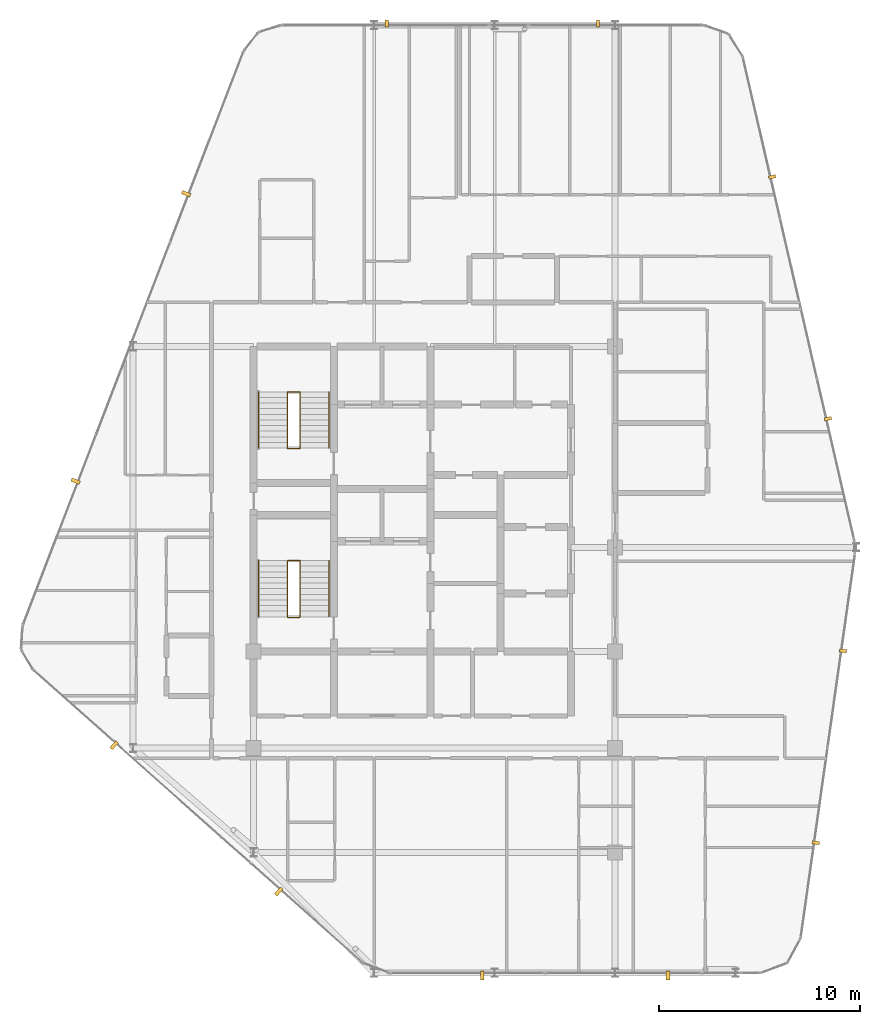
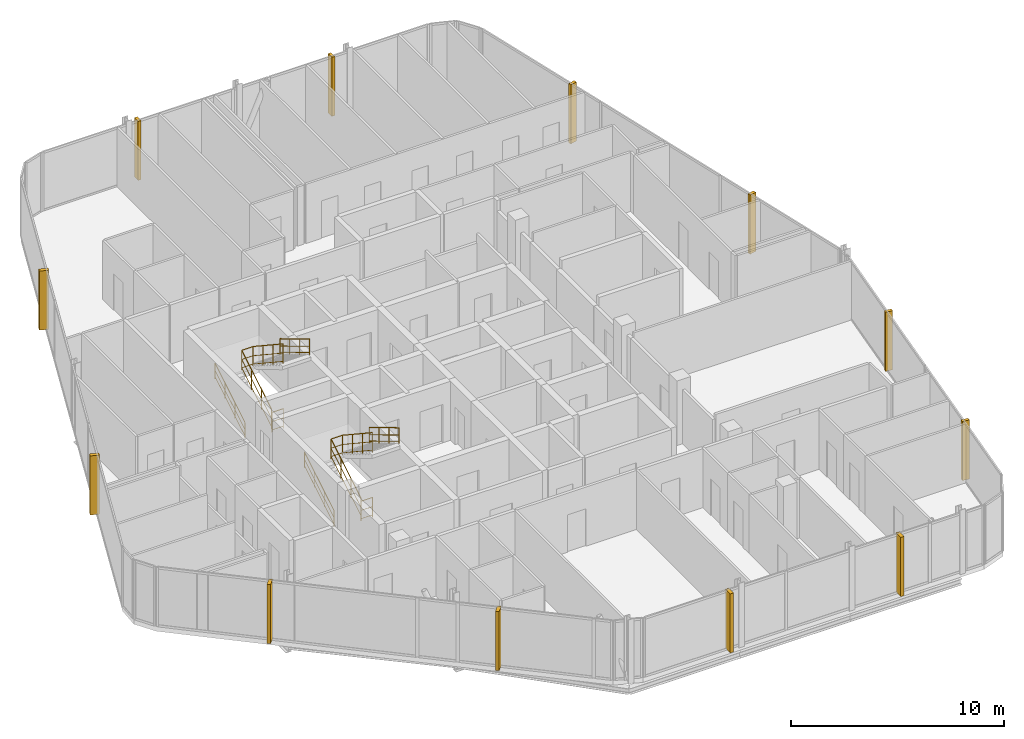
# One storey, part 30 of 30: 12 coverings, 8 railings.
"""IFC4 building model written with IfcOpenShell, lengths in metres."""

import ifcopenshell
import ifcopenshell.guid

model = None  # the IFC model being written
_history = None  # IfcOwnerHistory: only IFC2X3 demands one
_inside = {}  # id of a spatial element -> (the spatial element, [elements in it])
_under = {}  # id of a project, library or spatial element -> (it, [spatial elements below it])
_declared = {}  # id of a project -> (the project, [libraries it declares])
_typed = {}  # id of a type object -> (the type object, [elements of that type])
_made_of = {}  # id of a material, layer set ... -> (it, [elements and type objects made of it])


def new_model(schema):
    """Start an empty IFC model of exactly this schema.

    Asked for "IFC4X3", IfcOpenShell would pick the latest addendum, in which some entities
    have other attributes; the version numbers below select the first issue.
    IFC2X3 requires an IfcOwnerHistory on every rooted entity: one is made here for all.
    """
    global model, _history
    if schema == "IFC4X3":
        model = ifcopenshell.file(schema_version=(4, 3, 0, 0))
    else:
        model = ifcopenshell.file(schema=schema)
    _inside.clear()
    _under.clear()
    _declared.clear()
    _typed.clear()
    _made_of.clear()
    _history = None
    if model.schema == "IFC2X3":
        org = make("IfcOrganization", Name="unknown")
        user = make(
            "IfcPersonAndOrganization",
            ThePerson=make("IfcPerson", FamilyName="unknown"),
            TheOrganization=org,
        )
        app = make(
            "IfcApplication",
            ApplicationDeveloper=org,
            Version="unknown",
            ApplicationFullName="unknown",
            ApplicationIdentifier="unknown",
        )
        _history = make(
            "IfcOwnerHistory",
            OwningUser=user,
            OwningApplication=app,
            ChangeAction="ADDED",
            CreationDate=0,
        )
    return model


def make(cls, **values):
    """One entity of the class cls with the attributes given. An attribute that is None is left unset."""
    return model.create_entity(
        cls, **{name: value for name, value in values.items() if value is not None}
    )


def rooted(cls, **values):
    """An entity with a GlobalId (a new one), such as an element, a storey or a relation."""
    return make(cls, GlobalId=ifcopenshell.guid.new(), OwnerHistory=_history, **values)


def si_unit(unit_type, name, prefix=None):
    """IfcSIUnit, for example si_unit("LENGTHUNIT", "METRE", prefix="MILLI")."""
    return make("IfcSIUnit", UnitType=unit_type, Prefix=prefix, Name=name)


def assignment(units):
    """IfcUnitAssignment: the units of a project."""
    return None if units is None else make("IfcUnitAssignment", Units=units)


def point(xyz):
    """IfcCartesianPoint."""
    return None if xyz is None else make("IfcCartesianPoint", Coordinates=xyz)


def direction(xyz):
    """IfcDirection."""
    return None if xyz is None else make("IfcDirection", DirectionRatios=xyz)


def frame(location, z_axis=None, x_axis=None):
    """IfcAxis2Placement3D, a coordinate frame: its origin and axes. An axis left out is left unset."""
    return make(
        "IfcAxis2Placement3D",
        Location=point(location),
        Axis=direction(z_axis),
        RefDirection=direction(x_axis),
    )


def frame_2d(location, x_axis=None):
    """IfcAxis2Placement2D, a coordinate frame in the plane: its origin and x axis."""
    return make(
        "IfcAxis2Placement2D", Location=point(location), RefDirection=direction(x_axis)
    )


def origin():
    """The frame at (0, 0, 0) with its axes left unset."""
    return frame((0.0, 0.0, 0.0))


def origin_2d():
    """The frame at (0, 0) in the plane with its x axis left unset."""
    return frame_2d((0.0, 0.0))


def place(relative_to, where):
    """IfcLocalPlacement: puts the frame where relative to a parent placement (None: the world)."""
    return make(
        "IfcLocalPlacement", PlacementRelTo=relative_to, RelativePlacement=where
    )


def context(
    kind, dimensions, precision=None, world=None, true_north=None, identifier=None
):
    """IfcGeometricRepresentationContext, for example the 3D "Model" context."""
    return make(
        "IfcGeometricRepresentationContext",
        ContextIdentifier=identifier,
        ContextType=kind,
        CoordinateSpaceDimension=dimensions,
        Precision=precision,
        WorldCoordinateSystem=world,
        TrueNorth=true_north,
    )


def subcontext(parent, identifier, kind, view, scale=None):
    """IfcGeometricRepresentationSubContext, for example "Body" below "Model"."""
    return make(
        "IfcGeometricRepresentationSubContext",
        ContextIdentifier=identifier,
        ContextType=kind,
        ParentContext=parent,
        TargetScale=scale,
        TargetView=view,
    )


def project(units=None, contexts=None):
    """IfcProject with its units and contexts."""
    return rooted(
        "IfcProject",
        Name="project",
        RepresentationContexts=contexts,
        UnitsInContext=assignment(units),
    )


def spatial(cls, under=None, at=None, **own):
    """A site, building, storey or space (cls), placed at a placement, below another one or the project."""
    s = rooted(cls, ObjectPlacement=at, **own)
    if under is not None:
        _under.setdefault(under.id(), (under, []))[1].append(s)
    return s


def profile(cls, at=None, kind="AREA", **sizes):
    """A parametric profile (cls). Its sizes go by their IFC names, for example OverallWidth=200.0."""
    return make(cls, ProfileType=kind, Position=at, **sizes)


def rectangle(**sizes):
    """IfcRectangleProfileDef."""
    return profile("IfcRectangleProfileDef", **sizes)


def circle(**sizes):
    """IfcCircleProfileDef."""
    return profile("IfcCircleProfileDef", **sizes)


def extrude(swept, where, along, depth):
    """IfcExtrudedAreaSolid: the profile swept, set in the frame where, extruded along a direction by depth."""
    return make(
        "IfcExtrudedAreaSolid",
        SweptArea=swept,
        Position=where,
        ExtrudedDirection=direction(along),
        Depth=depth,
    )


def shape(context_of_items, identifier, shape_type, items):
    """IfcShapeRepresentation: the items that make up one representation, for example the "Body"."""
    return make(
        "IfcShapeRepresentation",
        ContextOfItems=context_of_items,
        RepresentationIdentifier=identifier,
        RepresentationType=shape_type,
        Items=items,
    )


def material(Name=None, Category=None):
    """IfcMaterial."""
    return make("IfcMaterial", Name=Name, Category=Category)


def layer(
    of_material, thickness, ventilated=None, Name=None, Category=None, Priority=None
):
    """IfcMaterialLayer: one layer of a wall or slab, of a material (None: an air gap)."""
    return make(
        "IfcMaterialLayer",
        Material=of_material,
        LayerThickness=thickness,
        IsVentilated=ventilated,
        Name=Name,
        Category=Category,
        Priority=Priority,
    )


def layer_set(layers, Name=None):
    """IfcMaterialLayerSet."""
    return make("IfcMaterialLayerSet", MaterialLayers=layers, LayerSetName=Name)


def made_of(thing, what):
    """Note that an element or type object is made of a material, layer set ...; save() writes the relation."""
    if what is not None:
        _made_of.setdefault(what.id(), (what, []))[1].append(thing)
    return thing


def type_object(cls, material=None, **own):
    """A type object (cls), such as IfcWallType, which elements share."""
    return made_of(rooted(cls, **own), material)


def element(
    cls,
    number,
    at=None,
    inside=None,
    cuts=None,
    type_object=None,
    material=None,
    context=None,
    identifier="Body",
    shape_type=None,
    held_by="IfcProductDefinitionShape",
    body=None,
    shapes=None,
    **own,
):
    """One element of the class cls, such as IfcWall. Its Tag is "e" and its number.

    at: its placement. inside: the storey or other place that contains it. cuts: it is an
    opening in that element (IfcRelVoidsElement). A single representation is given by context,
    identifier, shape_type and body (its items); several are given by shapes. held_by: the class
    of the entity that holds the representations. save() writes the other relations.
    """
    e = rooted(cls, Tag="e%d" % number, ObjectPlacement=at, **own)
    if body is not None:
        shapes = [shape(context, identifier, shape_type, body)]
    if shapes is not None:
        e.Representation = make(held_by, Representations=shapes)
    if inside is not None:
        _inside.setdefault(inside.id(), (inside, []))[1].append(e)
    if cuts is not None:
        rooted(
            "IfcRelVoidsElement", RelatingBuildingElement=cuts, RelatedOpeningElement=e
        )
    if type_object is not None:
        _typed.setdefault(type_object.id(), (type_object, []))[1].append(e)
    return made_of(e, material)


def aggregate(whole, parts):
    """IfcRelAggregates: a whole, such as a stair, and the parts it consists of."""
    return rooted("IfcRelAggregates", RelatingObject=whole, RelatedObjects=parts)


def save(model, path):
    """Write the relations noted so far, then the file.

    IfcRelAggregates (storeys below a building ...), IfcRelContainedInSpatialStructure (elements
    in a storey), IfcRelDefinesByType, IfcRelAssociatesMaterial and IfcRelDeclares: one each for
    every whole, place, type object, material and project.
    """
    for whole, parts in _under.values():
        aggregate(whole, parts)
    for where, things in _inside.values():
        rooted(
            "IfcRelContainedInSpatialStructure",
            RelatedElements=things,
            RelatingStructure=where,
        )
    for kind, things in _typed.values():
        rooted("IfcRelDefinesByType", RelatedObjects=things, RelatingType=kind)
    for what, things in _made_of.values():
        rooted("IfcRelAssociatesMaterial", RelatedObjects=things, RelatingMaterial=what)
    for by, libraries in _declared.values():
        rooted("IfcRelDeclares", RelatingContext=by, RelatedDefinitions=libraries)
    model.write(path)


model = new_model("IFC4")

# Units and contexts
model_context = context("Model", 3, precision=1e-05, world=origin(), true_north=direction((0.0, 1.0)))
body_context = subcontext(model_context, "Body", "Model", "MODEL_VIEW")
ifc_project = project(units=[si_unit("LENGTHUNIT", "METRE"), si_unit("AREAUNIT", "SQUARE_METRE"), si_unit("VOLUMEUNIT", "CUBIC_METRE"), si_unit("PLANEANGLEUNIT", "RADIAN"), si_unit("MASSUNIT", "GRAM", prefix="KILO")], contexts=[model_context])

# Site, building, storey
site_placement = place(None, origin())
site = spatial("IfcSite", under=ifc_project, at=site_placement, CompositionType="ELEMENT")
building_placement = place(site_placement, origin())
building = spatial("IfcBuilding", under=site, at=building_placement, Name="Keshet Zoharim Tower", CompositionType="ELEMENT")
storey_placement = place(building_placement, frame((0.0, 0.0, 280.60009765625)))
storey = spatial("IfcBuildingStorey", under=building, at=storey_placement, Name="L70", CompositionType="ELEMENT", Elevation=280.60009765625)

# Coverings
ifc_material_1 = material(Name="Concrete C50/60 precast", Category="concrete")
covering_type_1 = type_object("IfcCoveringType", Name="FIN-SOL-360", PredefinedType="CLADDING", material=ifc_material_1)
for number, where, z_axis, x_axis, name in (
    (1, (21.633056640625, 53.97998046875, 0.0), (0.0, 0.0, 1.0), (1.0, 0.0, 0.0), "L70 Vertical Precast Solar Fin 03"),
    (2, (32.14990234375, 53.97998046875, 0.0), (0.0, 0.0, 1.0), (1.0, 0.0, 0.0), "L70 Vertical Precast Solar Fin 04"),
    (3, (40.824951171875, 46.345947265625, 0.0), (0.0, 0.0, 1.0), (0.224829963294, -0.974398012932, 0.0), "L70 Vertical Precast Solar Fin 05"),
    (4, (43.60400390625, 34.302001953125, 0.0), (0.0, 0.0, 1.0), (0.224829963294, -0.974398012932, 0.0), "L70 Vertical Precast Solar Fin 06"),
    (5, (44.35107421875, 22.742919921875, 0.0), (0.0, 0.0, 1.0), (-0.140137464177, -0.990132057422, 0.0), "L70 Vertical Precast Solar Fin 07"),
    (6, (42.998046875, 13.18701171875, 0.0), (0.0, 0.0, 1.0), (-0.140137464177, -0.990132057422, 0.0), "L70 Vertical Precast Solar Fin 08"),
):
    element("IfcCovering", number, at=place(storey_placement, frame(where, z_axis=z_axis, x_axis=x_axis)), inside=storey, type_object=covering_type_1, Name=name, PredefinedType="CLADDING", context=body_context, shape_type="SweptSolid", body=[
        extrude(rectangle(XDim=0.159912109375, YDim=0.360107421875, at=origin_2d()), origin(), (0.0, 0.0, 1.0), 3.389892578125),
    ])
covering_type_2 = type_object("IfcCoveringType", Name="FIN-SOL-450", PredefinedType="CLADDING", material=ifc_material_1)
for number, where, z_axis, x_axis, name in (
    (7, (6.133056640625, 31.194091796875, 0.0), (0.0, 0.0, 1.0), (0.358990003907, 0.933341404361, 0.0), "L70 Vertical Precast Solar Fin 01"),
    (8, (11.637939453125, 45.507080078125, 0.0), (0.0, 0.0, 1.0), (0.358990003907, 0.933341404361, 0.0), "L70 Vertical Precast Solar Fin 02"),
    (9, (35.636962890625, 6.574951171875, 0.0), (0.0, 0.0, 1.0), (-1.0, 0.0, 0.0), "L70 Vertical Precast Solar Fin 09"),
    (10, (26.385986328125, 6.574951171875, 0.0), (0.0, 0.0, 1.0), (-1.0, 0.0, 0.0), "L70 Vertical Precast Solar Fin 10"),
    (11, (16.25, 10.7548828125, 0.0), (0.0, 0.0, 1.0), (-0.747411833563, 0.66436100958, 0.0), "L70 Vertical Precast Solar Fin 11"),
    (12, (8.051025390625, 18.04296875, 0.0), (0.0, 0.0, 1.0), (-0.747411833563, 0.66436100958, 0.0), "L70 Vertical Precast Solar Fin 12"),
):
    element("IfcCovering", number, at=place(storey_placement, frame(where, z_axis=z_axis, x_axis=x_axis)), inside=storey, type_object=covering_type_2, Name=name, PredefinedType="CLADDING", context=body_context, shape_type="SweptSolid", body=[
        extrude(rectangle(XDim=0.179931640625, YDim=0.449951171875, at=origin_2d()), origin(), (0.0, 0.0, 1.0), 3.389892578125),
    ])

# Railings
ifc_material_2 = material(Name="Steel S355", Category="steel")
ifc_layer_1 = layer(ifc_material_2, 0.050048828125)
ifc_layer_set_1 = layer_set([ifc_layer_1], Name="Steel S355")
railing_type_1 = type_object("IfcRailingType", Name="RL-HND-092", PredefinedType="HANDRAIL", material=ifc_layer_set_1)
railing_1_placement = place(storey_placement, frame((15.239990234375, 24.43994140625, 0.168212890625)))
element("IfcRailing", 13, at=railing_1_placement, inside=storey, type_object=railing_type_1, Name="L70 ST-01 Flight 1 Wall Handrail", PredefinedType="HANDRAIL", context=body_context, shape_type="SweptSolid", body=[
    extrude(circle(Radius=0.02392578125, at=origin_2d()), frame((0.0, 0.0, 0.89599609375), z_axis=(0.0, 0.857275202839, 0.514858452973), x_axis=(-1.0, 0.0, 0.0)), (0.0, 0.0, 1.0), 3.26611328125),
    extrude(circle(Radius=0.01611328125, at=origin_2d()), frame((0.0, 0.0, 0.478271484375), z_axis=(0.0, 0.857275202839, 0.514858452973), x_axis=(-1.0, 0.0, 0.0)), (0.0, 0.0, 1.0), 3.26611328125),
    extrude(circle(Radius=0.01611328125, at=origin_2d()), frame((0.0, 0.0, 0.1201171875), z_axis=(0.0, 0.857275202839, 0.514858452973), x_axis=(-1.0, 0.0, 0.0)), (0.0, 0.0, 1.0), 3.26611328125),
    extrude(circle(Radius=0.02099609375, at=origin_2d()), origin(), (0.0, 0.0, 1.0), 0.871826171875),
    extrude(circle(Radius=0.02099609375, at=origin_2d()), frame((0.0, 0.933349609375, 0.560546875)), (0.0, 0.0, 1.0), 0.871826171875),
    extrude(circle(Radius=0.02099609375, at=origin_2d()), frame((0.0, 1.86669921875, 1.12109375)), (0.0, 0.0, 1.0), 0.871826171875),
    extrude(circle(Radius=0.02099609375, at=origin_2d()), frame((0.0, 2.800048828125, 1.681640625)), (0.0, 0.0, 1.0), 0.871826171875),
])
railing_2_placement = place(storey_placement, frame((18.760009765625, 27.239990234375, 2.01806640625)))
element("IfcRailing", 14, at=railing_2_placement, inside=storey, type_object=railing_type_1, Name="L70 ST-01 Flight 2 Wall Handrail", PredefinedType="HANDRAIL", context=body_context, shape_type="SweptSolid", body=[
    extrude(circle(Radius=0.02392578125, at=origin_2d()), frame((0.0, 0.0, 0.89599609375), z_axis=(0.0, -0.857242210791, 0.514913383045), x_axis=(1.0, 0.0, 0.0)), (0.0, 0.0, 1.0), 3.266357421875),
    extrude(circle(Radius=0.01611328125, at=origin_2d()), frame((0.0, 0.0, 0.478271484375), z_axis=(0.0, -0.857242210791, 0.514913383045), x_axis=(1.0, 0.0, 0.0)), (0.0, 0.0, 1.0), 3.266357421875),
    extrude(circle(Radius=0.01611328125, at=origin_2d()), frame((0.0, 0.0, 0.1201171875), z_axis=(0.0, -0.857242210791, 0.514913383045), x_axis=(1.0, 0.0, 0.0)), (0.0, 0.0, 1.0), 3.266357421875),
    extrude(circle(Radius=0.02099609375, at=origin_2d()), origin(), (0.0, 0.0, 1.0), 0.871826171875),
    extrude(circle(Radius=0.02099609375, at=origin_2d()), frame((0.0, -0.933349609375, 0.560546875)), (0.0, 0.0, 1.0), 0.871826171875),
    extrude(circle(Radius=0.02099609375, at=origin_2d()), frame((0.0, -1.86669921875, 1.121337890625)), (0.0, 0.0, 1.0), 0.871826171875),
    extrude(circle(Radius=0.02099609375, at=origin_2d()), frame((0.0, -2.800048828125, 1.681884765625)), (0.0, 0.0, 1.0), 0.871826171875),
])
railing_3_placement = place(storey_placement, frame((15.239990234375, 32.840087890625, 0.168212890625)))
element("IfcRailing", 15, at=railing_3_placement, inside=storey, type_object=railing_type_1, Name="L70 ST-02 Flight 1 Wall Handrail", PredefinedType="HANDRAIL", context=body_context, shape_type="SweptSolid", body=[
    extrude(circle(Radius=0.02392578125, at=origin_2d()), frame((0.0, 0.0, 0.89599609375), z_axis=(0.0, 0.857255387014, 0.514891446264), x_axis=(-1.0, 0.0, 0.0)), (0.0, 0.0, 1.0), 3.26611328125),
    extrude(circle(Radius=0.01611328125, at=origin_2d()), frame((0.0, 0.0, 0.478271484375), z_axis=(0.0, 0.857255387014, 0.514891446264), x_axis=(-1.0, 0.0, 0.0)), (0.0, 0.0, 1.0), 3.26611328125),
    extrude(circle(Radius=0.01611328125, at=origin_2d()), frame((0.0, 0.0, 0.1201171875), z_axis=(0.0, 0.857255387014, 0.514891446264), x_axis=(-1.0, 0.0, 0.0)), (0.0, 0.0, 1.0), 3.26611328125),
    extrude(circle(Radius=0.02099609375, at=origin_2d()), origin(), (0.0, 0.0, 1.0), 0.871826171875),
    extrude(circle(Radius=0.02099609375, at=origin_2d()), frame((0.0, 0.933349609375, 0.560546875)), (0.0, 0.0, 1.0), 0.871826171875),
    extrude(circle(Radius=0.02099609375, at=origin_2d()), frame((0.0, 1.866455078125, 1.12109375)), (0.0, 0.0, 1.0), 0.871826171875),
    extrude(circle(Radius=0.02099609375, at=origin_2d()), frame((0.0, 2.7998046875, 1.681640625)), (0.0, 0.0, 1.0), 0.871826171875),
])
railing_4_placement = place(storey_placement, frame((18.760009765625, 35.639892578125, 2.01806640625)))
element("IfcRailing", 16, at=railing_4_placement, inside=storey, type_object=railing_type_1, Name="L70 ST-02 Flight 2 Wall Handrail", PredefinedType="HANDRAIL", context=body_context, shape_type="SweptSolid", body=[
    extrude(circle(Radius=0.02392578125, at=origin_2d()), frame((0.0, 0.0, 0.89599609375), z_axis=(0.0, -0.857222391501, 0.514946377315), x_axis=(1.0, 0.0, 0.0)), (0.0, 0.0, 1.0), 3.26611328125),
    extrude(circle(Radius=0.01611328125, at=origin_2d()), frame((0.0, 0.0, 0.478271484375), z_axis=(0.0, -0.857222391501, 0.514946377315), x_axis=(1.0, 0.0, 0.0)), (0.0, 0.0, 1.0), 3.26611328125),
    extrude(circle(Radius=0.01611328125, at=origin_2d()), frame((0.0, 0.0, 0.1201171875), z_axis=(0.0, -0.857222391501, 0.514946377315), x_axis=(1.0, 0.0, 0.0)), (0.0, 0.0, 1.0), 3.26611328125),
    extrude(circle(Radius=0.02099609375, at=origin_2d()), origin(), (0.0, 0.0, 1.0), 0.871826171875),
    extrude(circle(Radius=0.02099609375, at=origin_2d()), frame((0.0, -0.933349609375, 0.560546875)), (0.0, 0.0, 1.0), 0.871826171875),
    extrude(circle(Radius=0.02099609375, at=origin_2d()), frame((0.0, -1.866455078125, 1.121337890625)), (0.0, 0.0, 1.0), 0.871826171875),
    extrude(circle(Radius=0.02099609375, at=origin_2d()), frame((0.0, -2.7998046875, 1.681884765625)), (0.0, 0.0, 1.0), 0.871826171875),
])
ifc_layer_2 = layer(ifc_material_2, 0.06005859375)
ifc_layer_set_2 = layer_set([ifc_layer_2], Name="Steel S355")
railing_type_2 = type_object("IfcRailingType", Name="RL-STG-115", PredefinedType="GUARDRAIL", material=ifc_layer_set_2)
railing_5_placement = place(storey_placement, frame((16.68994140625, 24.43994140625, 0.168212890625)))
element("IfcRailing", 17, at=railing_5_placement, inside=storey, type_object=railing_type_2, Name="L70 ST-01 Inner Well Guardrail", PredefinedType="GUARDRAIL", context=body_context, shape_type="SweptSolid", body=[
    extrude(circle(Radius=0.02392578125, at=origin_2d()), frame((0.0, 0.0, 1.1259765625), z_axis=(0.0, 0.857275202839, 0.514858452973), x_axis=(-1.0, 0.0, 0.0)), (0.0, 0.0, 1.0), 3.26611328125),
    extrude(circle(Radius=0.01611328125, at=origin_2d()), frame((0.0, 0.0, 0.597900390625), z_axis=(0.0, 0.857275202839, 0.514858452973), x_axis=(-1.0, 0.0, 0.0)), (0.0, 0.0, 1.0), 3.26611328125),
    extrude(circle(Radius=0.01611328125, at=origin_2d()), frame((0.0, 0.0, 0.1201171875), z_axis=(0.0, 0.857275202839, 0.514858452973), x_axis=(-1.0, 0.0, 0.0)), (0.0, 0.0, 1.0), 3.26611328125),
    extrude(circle(Radius=0.02392578125, at=origin_2d()), frame((0.0, 2.800048828125, 2.8076171875), z_axis=(1.0, 0.0, 0.0), x_axis=(0.0, 1.0, 0.0)), (0.0, 0.0, 1.0), 0.6201171875),
    extrude(circle(Radius=0.01611328125, at=origin_2d()), frame((0.0, 2.800048828125, 2.279541015625), z_axis=(1.0, 0.0, 0.0), x_axis=(0.0, 1.0, 0.0)), (0.0, 0.0, 1.0), 0.6201171875),
    extrude(circle(Radius=0.01611328125, at=origin_2d()), frame((0.0, 2.800048828125, 1.8017578125), z_axis=(1.0, 0.0, 0.0), x_axis=(0.0, 1.0, 0.0)), (0.0, 0.0, 1.0), 0.6201171875),
    extrude(circle(Radius=0.02392578125, at=origin_2d()), frame((0.6201171875, 2.800048828125, 2.8076171875), z_axis=(0.0, -0.834326358476, 0.551270829586), x_axis=(1.0, 0.0, 0.0)), (0.0, 0.0, 1.0), 3.35595703125),
    extrude(circle(Radius=0.01611328125, at=origin_2d()), frame((0.6201171875, 2.800048828125, 2.279541015625), z_axis=(0.0, -0.834326358476, 0.551270829586), x_axis=(1.0, 0.0, 0.0)), (0.0, 0.0, 1.0), 3.35595703125),
    extrude(circle(Radius=0.01611328125, at=origin_2d()), frame((0.6201171875, 2.800048828125, 1.8017578125), z_axis=(0.0, -0.834326358476, 0.551270829586), x_axis=(1.0, 0.0, 0.0)), (0.0, 0.0, 1.0), 3.35595703125),
    extrude(circle(Radius=0.02099609375, at=origin_2d()), origin(), (0.0, 0.0, 1.0), 1.101806640625),
    extrude(circle(Radius=0.02099609375, at=origin_2d()), frame((0.0, 0.933349609375, 0.560546875)), (0.0, 0.0, 1.0), 1.101806640625),
    extrude(circle(Radius=0.02099609375, at=origin_2d()), frame((0.0, 1.86669921875, 1.12109375)), (0.0, 0.0, 1.0), 1.101806640625),
    extrude(circle(Radius=0.02099609375, at=origin_2d()), frame((0.0, 2.800048828125, 1.681640625)), (0.0, 0.0, 1.0), 1.101806640625),
    extrude(circle(Radius=0.02099609375, at=origin_2d()), frame((0.6201171875, 2.800048828125, 1.681640625)), (0.0, 0.0, 1.0), 1.101806640625),
    extrude(circle(Radius=0.02099609375, at=origin_2d()), frame((0.6201171875, 1.86669921875, 2.29833984375)), (0.0, 0.0, 1.0), 1.101806640625),
    extrude(circle(Radius=0.02099609375, at=origin_2d()), frame((0.6201171875, 0.933349609375, 2.9150390625)), (0.0, 0.0, 1.0), 1.101806640625),
    extrude(circle(Radius=0.02099609375, at=origin_2d()), frame((0.6201171875, 0.0, 3.53173828125)), (0.0, 0.0, 1.0), 1.101806640625),
])
railing_6_placement = place(storey_placement, frame((16.68994140625, 24.409912109375, 0.0)))
element("IfcRailing", 18, at=railing_6_placement, inside=storey, type_object=railing_type_2, Name="L70 ST-01 Stairwell Floor Guardrail", PredefinedType="GUARDRAIL", context=body_context, shape_type="SweptSolid", body=[
    extrude(circle(Radius=0.02392578125, at=origin_2d()), frame((0.0, 0.0, 1.1259765625), z_axis=(1.0, 0.0, 0.0), x_axis=(0.0, 1.0, 0.0)), (0.0, 0.0, 1.0), 0.6201171875),
    extrude(circle(Radius=0.01611328125, at=origin_2d()), frame((0.0, 0.0, 0.597900390625), z_axis=(1.0, 0.0, 0.0), x_axis=(0.0, 1.0, 0.0)), (0.0, 0.0, 1.0), 0.6201171875),
    extrude(circle(Radius=0.01611328125, at=origin_2d()), frame((0.0, 0.0, 0.1201171875), z_axis=(1.0, 0.0, 0.0), x_axis=(0.0, 1.0, 0.0)), (0.0, 0.0, 1.0), 0.6201171875),
    extrude(circle(Radius=0.02099609375, at=origin_2d()), origin(), (0.0, 0.0, 1.0), 1.101806640625),
    extrude(circle(Radius=0.02099609375, at=origin_2d()), frame((0.6201171875, 0.0, 0.0)), (0.0, 0.0, 1.0), 1.101806640625),
])
railing_7_placement = place(storey_placement, frame((16.68994140625, 32.840087890625, 0.168212890625)))
element("IfcRailing", 19, at=railing_7_placement, inside=storey, type_object=railing_type_2, Name="L70 ST-02 Inner Well Guardrail", PredefinedType="GUARDRAIL", context=body_context, shape_type="SweptSolid", body=[
    extrude(circle(Radius=0.02392578125, at=origin_2d()), frame((0.0, 0.0, 1.1259765625), z_axis=(0.0, 0.857255387014, 0.514891446264), x_axis=(-1.0, 0.0, 0.0)), (0.0, 0.0, 1.0), 3.26611328125),
    extrude(circle(Radius=0.01611328125, at=origin_2d()), frame((0.0, 0.0, 0.597900390625), z_axis=(0.0, 0.857255387014, 0.514891446264), x_axis=(-1.0, 0.0, 0.0)), (0.0, 0.0, 1.0), 3.26611328125),
    extrude(circle(Radius=0.01611328125, at=origin_2d()), frame((0.0, 0.0, 0.1201171875), z_axis=(0.0, 0.857255387014, 0.514891446264), x_axis=(-1.0, 0.0, 0.0)), (0.0, 0.0, 1.0), 3.26611328125),
    extrude(circle(Radius=0.02392578125, at=origin_2d()), frame((0.0, 2.7998046875, 2.8076171875), z_axis=(1.0, 0.0, 0.0), x_axis=(0.0, 1.0, 0.0)), (0.0, 0.0, 1.0), 0.6201171875),
    extrude(circle(Radius=0.01611328125, at=origin_2d()), frame((0.0, 2.7998046875, 2.279541015625), z_axis=(1.0, 0.0, 0.0), x_axis=(0.0, 1.0, 0.0)), (0.0, 0.0, 1.0), 0.6201171875),
    extrude(circle(Radius=0.01611328125, at=origin_2d()), frame((0.0, 2.7998046875, 1.8017578125), z_axis=(1.0, 0.0, 0.0), x_axis=(0.0, 1.0, 0.0)), (0.0, 0.0, 1.0), 0.6201171875),
    extrude(circle(Radius=0.02392578125, at=origin_2d()), frame((0.6201171875, 2.7998046875, 2.8076171875), z_axis=(0.0, -0.834304248922, 0.551304290053), x_axis=(1.0, 0.0, 0.0)), (0.0, 0.0, 1.0), 3.35595703125),
    extrude(circle(Radius=0.01611328125, at=origin_2d()), frame((0.6201171875, 2.7998046875, 2.279541015625), z_axis=(0.0, -0.834304248922, 0.551304290053), x_axis=(1.0, 0.0, 0.0)), (0.0, 0.0, 1.0), 3.35595703125),
    extrude(circle(Radius=0.01611328125, at=origin_2d()), frame((0.6201171875, 2.7998046875, 1.8017578125), z_axis=(0.0, -0.834304248922, 0.551304290053), x_axis=(1.0, 0.0, 0.0)), (0.0, 0.0, 1.0), 3.35595703125),
    extrude(circle(Radius=0.02099609375, at=origin_2d()), origin(), (0.0, 0.0, 1.0), 1.101806640625),
    extrude(circle(Radius=0.02099609375, at=origin_2d()), frame((0.0, 0.933349609375, 0.560546875)), (0.0, 0.0, 1.0), 1.101806640625),
    extrude(circle(Radius=0.02099609375, at=origin_2d()), frame((0.0, 1.866455078125, 1.12109375)), (0.0, 0.0, 1.0), 1.101806640625),
    extrude(circle(Radius=0.02099609375, at=origin_2d()), frame((0.0, 2.7998046875, 1.681640625)), (0.0, 0.0, 1.0), 1.101806640625),
    extrude(circle(Radius=0.02099609375, at=origin_2d()), frame((0.6201171875, 2.7998046875, 1.681640625)), (0.0, 0.0, 1.0), 1.101806640625),
    extrude(circle(Radius=0.02099609375, at=origin_2d()), frame((0.6201171875, 1.866455078125, 2.29833984375)), (0.0, 0.0, 1.0), 1.101806640625),
    extrude(circle(Radius=0.02099609375, at=origin_2d()), frame((0.6201171875, 0.933349609375, 2.9150390625)), (0.0, 0.0, 1.0), 1.101806640625),
    extrude(circle(Radius=0.02099609375, at=origin_2d()), frame((0.6201171875, 0.0, 3.53173828125)), (0.0, 0.0, 1.0), 1.101806640625),
])
railing_8_placement = place(storey_placement, frame((16.68994140625, 32.81005859375, 0.0)))
element("IfcRailing", 20, at=railing_8_placement, inside=storey, type_object=railing_type_2, Name="L70 ST-02 Stairwell Floor Guardrail", PredefinedType="GUARDRAIL", context=body_context, shape_type="SweptSolid", body=[
    extrude(circle(Radius=0.02392578125, at=origin_2d()), frame((0.0, 0.0, 1.1259765625), z_axis=(1.0, 0.0, 0.0), x_axis=(0.0, 1.0, 0.0)), (0.0, 0.0, 1.0), 0.6201171875),
    extrude(circle(Radius=0.01611328125, at=origin_2d()), frame((0.0, 0.0, 0.597900390625), z_axis=(1.0, 0.0, 0.0), x_axis=(0.0, 1.0, 0.0)), (0.0, 0.0, 1.0), 0.6201171875),
    extrude(circle(Radius=0.01611328125, at=origin_2d()), frame((0.0, 0.0, 0.1201171875), z_axis=(1.0, 0.0, 0.0), x_axis=(0.0, 1.0, 0.0)), (0.0, 0.0, 1.0), 0.6201171875),
    extrude(circle(Radius=0.02099609375, at=origin_2d()), origin(), (0.0, 0.0, 1.0), 1.101806640625),
    extrude(circle(Radius=0.02099609375, at=origin_2d()), frame((0.6201171875, 0.0, 0.0)), (0.0, 0.0, 1.0), 1.101806640625),
])

save(model, "model.ifc")
